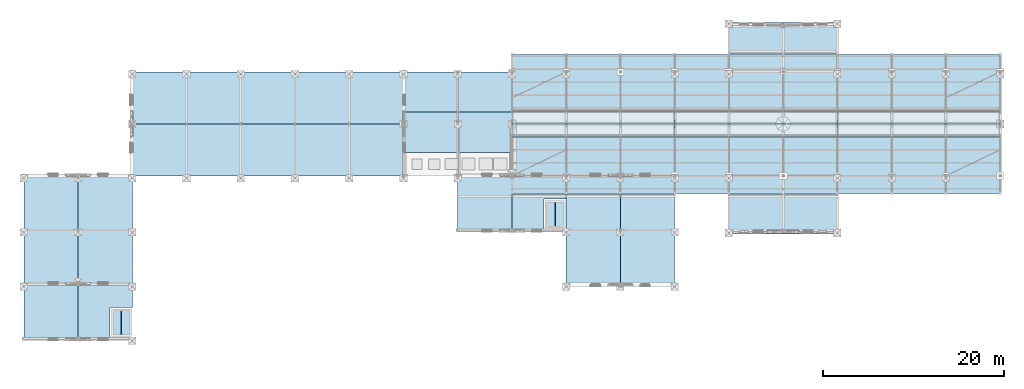
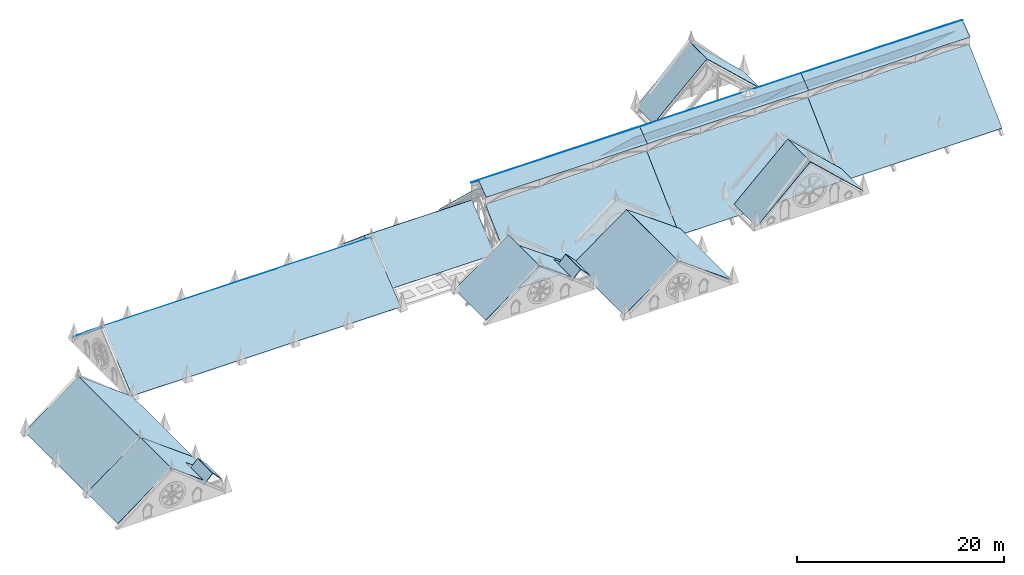
# One storey, part 19 of 33: 32 roofs.
"""IFC4 building model written with IfcOpenShell, lengths in metres."""

from ifc_helpers import new_model, si_unit, direction, frame, origin, place, context, subcontext, project, spatial, polyline, outline, extrude, material, type_object, element, save


model = new_model("IFC4")

# Units and contexts
model_context = context("Model", 3, precision=1e-05, world=origin(), true_north=direction((0.0, 1.0)))
body_context = subcontext(model_context, "Body", "Model", "MODEL_VIEW")
ifc_project = project(units=[si_unit("LENGTHUNIT", "METRE"), si_unit("AREAUNIT", "SQUARE_METRE"), si_unit("VOLUMEUNIT", "CUBIC_METRE"), si_unit("PLANEANGLEUNIT", "RADIAN"), si_unit("MASSUNIT", "GRAM", prefix="KILO")], contexts=[model_context])

# Site, building, storey
site_placement = place(None, origin())
site = spatial("IfcSite", under=ifc_project, at=site_placement, CompositionType="ELEMENT")
building_placement = place(site_placement, origin())
building = spatial("IfcBuilding", under=site, at=building_placement, Name="Cumevento Cable Car Station", CompositionType="ELEMENT")
storey_placement = place(building_placement, frame((0.0, 0.0, 22.5)))
storey = spatial("IfcBuildingStorey", under=building, at=storey_placement, Name="RF", CompositionType="ELEMENT", Elevation=22.5)

# Roofs
ifc_material = material(Name="Standing-Seam Zinc-Titanium Roof Sheet", Category="steel")
roof_type = type_object("IfcRoofType", Name="Gable Roof Ridge Cap RFA-G1", PredefinedType="GABLE_ROOF", material=ifc_material)
for number, where, z_axis, x_axis, name in (
    (1, (64.0, 43.050048828125, -0.385009765625), (0.0, -0.68836684704, 0.725362725743), (1.0, 0.0, 0.0), "Gable Sloped Roof Assembly #1"),
    (2, (64.0, 52.050048828125, 5.6884765625), (0.0, 0.68836684704, 0.725362725743), (1.0, 0.0, 0.0), "Gable Sloped Roof Assembly #2"),
):
    element("IfcRoof", number, at=place(storey_placement, frame(where, z_axis=z_axis, x_axis=x_axis)), inside=storey, type_object=roof_type, Name=name, PredefinedType="GABLE_ROOF", context=body_context, shape_type="SweptSolid", body=[
        extrude(outline(polyline([(0.0, 0.0), (18.0, 0.0), (18.0, 8.823037242778593), (0.0, 8.823037242778593), (0.0, 0.0)])), origin(), (0.0, 0.0, -1.0), 0.0400390625),
    ])
for number, where, z_axis, x_axis, name in (
    (3, (64.0, 49.300048828125, 6.5849609375), (0.0, -0.614865574598, 0.788631932637), (1.0, 0.0, 0.0), "Gable Sloped Roof Assembly #3"),
    (4, (64.0, 50.7451171875, 7.71923828125), (0.0, 0.614865574598, 0.788631932637), (1.0, 0.0, 0.0), "Gable Sloped Roof Assembly #4"),
):
    element("IfcRoof", number, at=place(storey_placement, frame(where, z_axis=z_axis, x_axis=x_axis)), inside=storey, type_object=roof_type, Name=name, PredefinedType="GABLE_ROOF", context=body_context, shape_type="SweptSolid", body=[
        extrude(outline(polyline([(0.0, 0.0), (18.0, 0.0), (18.0, 1.8447566274815204), (0.0, 1.8447566274815204), (0.0, 0.0)])), origin(), (0.0, 0.0, -1.0), 0.0400390625),
    ])
for number, where, z_axis, x_axis, name in (
    (5, (82.0, 43.050048828125, -0.385009765625), (0.0, -0.68836684704, 0.725362725743), (1.0, 0.0, 0.0), "Gable Sloped Roof Assembly #5"),
    (6, (82.0, 52.050048828125, 5.6884765625), (0.0, 0.68836684704, 0.725362725743), (1.0, 0.0, 0.0), "Gable Sloped Roof Assembly #6"),
):
    element("IfcRoof", number, at=place(storey_placement, frame(where, z_axis=z_axis, x_axis=x_axis)), inside=storey, type_object=roof_type, Name=name, PredefinedType="GABLE_ROOF", context=body_context, shape_type="SweptSolid", body=[
        extrude(outline(polyline([(0.0, 0.0), (18.0, 0.0), (18.0, 8.823037242778593), (0.0, 8.823037242778593), (0.0, 0.0)])), origin(), (0.0, 0.0, -1.0), 0.0400390625),
    ])
for number, where, z_axis, x_axis, name in (
    (7, (82.0, 49.300048828125, 6.5849609375), (0.0, -0.614865574598, 0.788631932637), (1.0, 0.0, 0.0), "Gable Sloped Roof Assembly #7"),
    (8, (82.0, 50.7451171875, 7.71923828125), (0.0, 0.614865574598, 0.788631932637), (1.0, 0.0, 0.0), "Gable Sloped Roof Assembly #8"),
):
    element("IfcRoof", number, at=place(storey_placement, frame(where, z_axis=z_axis, x_axis=x_axis)), inside=storey, type_object=roof_type, Name=name, PredefinedType="GABLE_ROOF", context=body_context, shape_type="SweptSolid", body=[
        extrude(outline(polyline([(0.0, 0.0), (18.0, 0.0), (18.0, 1.8447566274815204), (0.0, 1.8447566274815204), (0.0, 0.0)])), origin(), (0.0, 0.0, -1.0), 0.0400390625),
    ])
for number, where, z_axis, x_axis, name in (
    (9, (100.0, 43.050048828125, -0.385009765625), (0.0, -0.68836684704, 0.725362725743), (1.0, 0.0, 0.0), "Gable Sloped Roof Assembly #9"),
    (10, (100.0, 52.050048828125, 5.6884765625), (0.0, 0.68836684704, 0.725362725743), (1.0, 0.0, 0.0), "Gable Sloped Roof Assembly #10"),
):
    element("IfcRoof", number, at=place(storey_placement, frame(where, z_axis=z_axis, x_axis=x_axis)), inside=storey, type_object=roof_type, Name=name, PredefinedType="GABLE_ROOF", context=body_context, shape_type="SweptSolid", body=[
        extrude(outline(polyline([(0.0, 0.0), (18.0, 0.0), (18.0, 8.823037242778593), (0.0, 8.823037242778593), (0.0, 0.0)])), origin(), (0.0, 0.0, -1.0), 0.0400390625),
    ])
for number, where, z_axis, x_axis, name in (
    (11, (100.0, 49.300048828125, 6.5849609375), (0.0, -0.614865574598, 0.788631932637), (1.0, 0.0, 0.0), "Gable Sloped Roof Assembly #11"),
    (12, (100.0, 50.7451171875, 7.71923828125), (0.0, 0.614865574598, 0.788631932637), (1.0, 0.0, 0.0), "Gable Sloped Roof Assembly #12"),
):
    element("IfcRoof", number, at=place(storey_placement, frame(where, z_axis=z_axis, x_axis=x_axis)), inside=storey, type_object=roof_type, Name=name, PredefinedType="GABLE_ROOF", context=body_context, shape_type="SweptSolid", body=[
        extrude(outline(polyline([(0.0, 0.0), (18.0, 0.0), (18.0, 1.8447566274815204), (0.0, 1.8447566274815204), (0.0, 0.0)])), origin(), (0.0, 0.0, -1.0), 0.0400390625),
    ])
for number, where, z_axis, x_axis, name in (
    (13, (88.0, 61.949951171875, 1.210693359375), (-0.681984970991, 0.0, 0.731366186901), (0.0, -1.0, 0.0), "Gable Sloped Roof Assembly #19"),
    (14, (94.0048828125, 61.949951171875, 6.801025390625), (0.681984970991, 0.0, 0.731366186901), (0.0, -1.0, 0.0), "Gable Sloped Roof Assembly #20"),
):
    element("IfcRoof", number, at=place(storey_placement, frame(where, z_axis=z_axis, x_axis=x_axis)), inside=storey, type_object=roof_type, Name=name, PredefinedType="GABLE_ROOF", context=body_context, shape_type="SweptSolid", body=[
        extrude(outline(polyline([(0.0, 0.0), (3.39990234375, 0.0), (3.39990234375, 8.197148425609827), (0.0, 8.197148425609827), (0.0, 0.0)])), origin(), (0.0, 0.0, -1.0), 0.0400390625),
    ])
for number, where, z_axis, x_axis, name in (
    (15, (88.0, 42.949951171875, 1.210693359375), (-0.681984970991, 0.0, 0.731366186901), (0.0, -1.0, 0.0), "Gable Sloped Roof Assembly #21"),
    (16, (94.0048828125, 42.949951171875, 6.801025390625), (0.681984970991, 0.0, 0.731366186901), (0.0, -1.0, 0.0), "Gable Sloped Roof Assembly #22"),
):
    element("IfcRoof", number, at=place(storey_placement, frame(where, z_axis=z_axis, x_axis=x_axis)), inside=storey, type_object=roof_type, Name=name, PredefinedType="GABLE_ROOF", context=body_context, shape_type="SweptSolid", body=[
        extrude(outline(polyline([(0.0, 0.0), (4.39990234375, 0.0), (4.39990234375, 8.197148425609827), (0.0, 8.197148425609827), (0.0, 0.0)])), origin(), (0.0, 0.0, -1.0), 0.0400390625),
    ])
roof_1_placement = place(storey_placement, frame((58.0, 45.0, 0.42529296875), z_axis=(-0.586965410375, 0.0, 0.809612010177), x_axis=(0.0, -1.0, 0.0)))
element("IfcRoof", 17, at=roof_1_placement, inside=storey, type_object=roof_type, Name="Gable Sloped Roof Assembly #29", PredefinedType="GABLE_ROOF", context=body_context, shape_type="SweptSolid", body=[
    extrude(outline(polyline([(0.0, 0.0), (6.0, 0.0), (6.0, 7.404926201860251), (0.0, 7.404926201860251), (0.0, 0.0)])), origin(), (0.0, 0.0, -1.0), 0.0400390625),
])
roof_2_placement = place(storey_placement, frame((64.0048828125, 42.949951171875, 4.771728515625), z_axis=(0.58696712168, -2.288367e-06, 0.809610769482), x_axis=(-1.343196e-06, -0.999999999997, -1.852687e-06)))
element("IfcRoof", 18, at=roof_2_placement, inside=storey, type_object=roof_type, Name="Gable Sloped Roof Assembly #30", PredefinedType="GABLE_ROOF", context=body_context, shape_type="SweptSolid", body=[
    extrude(outline(polyline([(0.0, 0.0), (3.9499511718646576, 0.0), (3.9499511718702087, 4.366490426158404), (0.5300292968791633, 4.366490426158404), (0.5300292968377945, 7.404926201843709), (-3.58176924907395e-11, 7.404926201843709), (0.0, 0.0)])), origin(), (0.0, 0.0, -1.0), 0.0400390625),
])
for number, where, z_axis, x_axis, name in (
    (19, (70.0, 42.949951171875, 0.440185546875), (-0.586965410375, 0.0, 0.809612010177), (0.0, -1.0, 0.0), "Gable Sloped Roof Assembly #31"),
    (20, (76.0048828125, 42.949951171875, 4.78662109375), (0.586965410375, 0.0, 0.809612010177), (0.0, -1.0, 0.0), "Gable Sloped Roof Assembly #32"),
):
    element("IfcRoof", number, at=place(storey_placement, frame(where, z_axis=z_axis, x_axis=x_axis)), inside=storey, type_object=roof_type, Name=name, PredefinedType="GABLE_ROOF", context=body_context, shape_type="SweptSolid", body=[
        extrude(outline(polyline([(0.0, 0.0), (9.949951171875, 0.0), (9.949951171875, 7.404926201860253), (0.0, 7.404926201860253), (0.0, 0.0)])), origin(), (0.0, 0.0, -1.0), 0.0400390625),
    ])
roof_3_placement = place(storey_placement, frame((10.0, 33.0, 0.496826171875), z_axis=(-0.595699920372, 0.0, 0.803207074713), x_axis=(0.0, -1.0, 0.0)))
element("IfcRoof", 21, at=roof_3_placement, inside=storey, type_object=roof_type, Name="Gable Sloped Roof Assembly #35", PredefinedType="GABLE_ROOF", context=body_context, shape_type="SweptSolid", body=[
    extrude(outline(polyline([(0.0, 0.0), (6.0, 0.0), (6.0, 7.463974579214819), (0.0, 7.463974579214819), (0.0, 0.0)])), origin(), (0.0, 0.0, -1.0), 0.0400390625),
])
roof_4_placement = place(storey_placement, frame((16.0048828125, 33.0, 4.943115234375), z_axis=(0.595695172255, 6.450833e-06, 0.803210596115), x_axis=(3.84273e-06, -0.999999999979, 5.181378e-06)))
element("IfcRoof", 22, at=roof_4_placement, inside=storey, type_object=roof_type, Name="Gable Sloped Roof Assembly #36", PredefinedType="GABLE_ROOF", context=body_context, shape_type="SweptSolid", body=[
    extrude(outline(polyline([(0.0, 0.0), (5.99999999987516, -2.541098841762901e-21), (6.000000000089892, 4.376332815568162), (2.5800781251610485, 4.376332815568162), (2.5800781246616893, 7.463974579084406), (-2.846281365979919e-10, 7.463974579084406), (0.0, 0.0)])), origin(), (0.0, 0.0, -1.0), 0.0400390625),
])
for number, where, z_axis, x_axis, name in (
    (23, (10.0, 45.0, 0.428466796875), (-0.595678817691, 0.0, 0.803222725123), (0.0, -1.0, 0.0), "Gable Sloped Roof Assembly #37"),
    (24, (16.0048828125, 45.0, 4.87451171875), (0.595678817691, 0.0, 0.803222725123), (0.0, -1.0, 0.0), "Gable Sloped Roof Assembly #38"),
):
    element("IfcRoof", number, at=place(storey_placement, frame(where, z_axis=z_axis, x_axis=x_axis)), inside=storey, type_object=roof_type, Name=name, PredefinedType="GABLE_ROOF", context=body_context, shape_type="SweptSolid", body=[
        extrude(outline(polyline([(0.0, 0.0), (12.0, 0.0), (12.0, 7.463829147239933), (0.0, 7.463829147239933), (0.0, 0.0)])), origin(), (0.0, 0.0, -1.0), 0.0400390625),
    ])
for number, where, z_axis, x_axis, name in (
    (25, (22.0, 45.0, 0.45849609375), (0.0, -0.632886854076, 0.774244296032), (1.0, 0.0, 0.0), "Gable Sloped Roof Assembly #39"),
    (26, (22.0, 50.75, 5.15869140625), (0.0, 0.632886854076, 0.774244296032), (1.0, 0.0, 0.0), "Gable Sloped Roof Assembly #40"),
):
    element("IfcRoof", number, at=place(storey_placement, frame(where, z_axis=z_axis, x_axis=x_axis)), inside=storey, type_object=roof_type, Name=name, PredefinedType="GABLE_ROOF", context=body_context, shape_type="SweptSolid", body=[
        extrude(outline(polyline([(0.0, 0.0), (30.0, 0.0), (30.0, 7.42659652705376), (0.0, 7.42659652705376), (0.0, 0.0)])), origin(), (0.0, 0.0, -1.0), 0.0400390625),
    ])
roof_5_placement = place(storey_placement, frame((52.0, 47.60009765625, 0.87939453125), z_axis=(0.0, -0.642796303802, 0.766037147806), x_axis=(1.0, 0.0, 0.0)))
element("IfcRoof", 27, at=roof_5_placement, inside=storey, type_object=roof_type, Name="Gable Sloped Roof Assembly #41", PredefinedType="GABLE_ROOF", context=body_context, shape_type="SweptSolid", body=[
    extrude(outline(polyline([(0.0, 0.0), (12.0, 0.0), (12.0, 5.802361192904307), (0.0, 5.802361192904307), (0.0, 0.0)])), origin(), (0.0, 0.0, -1.0), 0.0400390625),
])
roof_6_placement = place(storey_placement, frame((52.0, 52.054931640625, 4.609130859375), z_axis=(0.0, 0.642775585726, 0.766054532259), x_axis=(1.0, 0.0, 0.0)))
element("IfcRoof", 28, at=roof_6_placement, inside=storey, type_object=roof_type, Name="Gable Sloped Roof Assembly #42", PredefinedType="GABLE_ROOF", context=body_context, shape_type="SweptSolid", body=[
    extrude(outline(polyline([(0.0, 0.0), (12.0, 0.0), (12.0, 5.802548215814507), (0.0, 5.802548215814507), (0.0, 0.0)])), origin(), (0.0, 0.0, -1.0), 0.0400390625),
])
for number, where, z_axis, x_axis, name in (
    (29, (67.760009765625, 42.199951171875, 1.43505859375), (-0.723596918507, 0.0, 0.690222789777), (0.0, -1.0, 0.0), "Lift Headhouse Gothic Gable Cap #1W"),
    (30, (68.7900390625, 42.199951171875, 2.514892578125), (0.723596918507, 0.0, 0.690222789777), (0.0, -1.0, 0.0), "Lift Headhouse Gothic Gable Cap #1E"),
    (31, (19.760009765625, 30.199951171875, 1.43505859375), (-0.723596918507, 0.0, 0.690222789777), (0.0, -1.0, 0.0), "Lift Headhouse Gothic Gable Cap #3W"),
    (32, (20.7900390625, 30.199951171875, 2.514892578125), (0.723596918507, 0.0, 0.690222789777), (0.0, -1.0, 0.0), "Lift Headhouse Gothic Gable Cap #3E"),
):
    element("IfcRoof", number, at=place(storey_placement, frame(where, z_axis=z_axis, x_axis=x_axis)), inside=storey, type_object=roof_type, Name=name, PredefinedType="GABLE_ROOF", context=body_context, shape_type="SweptSolid", body=[
        extrude(outline(polyline([(0.0, 0.0), (2.89990234375, 0.0), (2.89990234375, 1.4923142384337136), (0.0, 1.4923142384337136), (0.0, 0.0)])), origin(), (0.0, 0.0, -1.0), 0.044921875),
    ])

save(model, "model.ifc")
